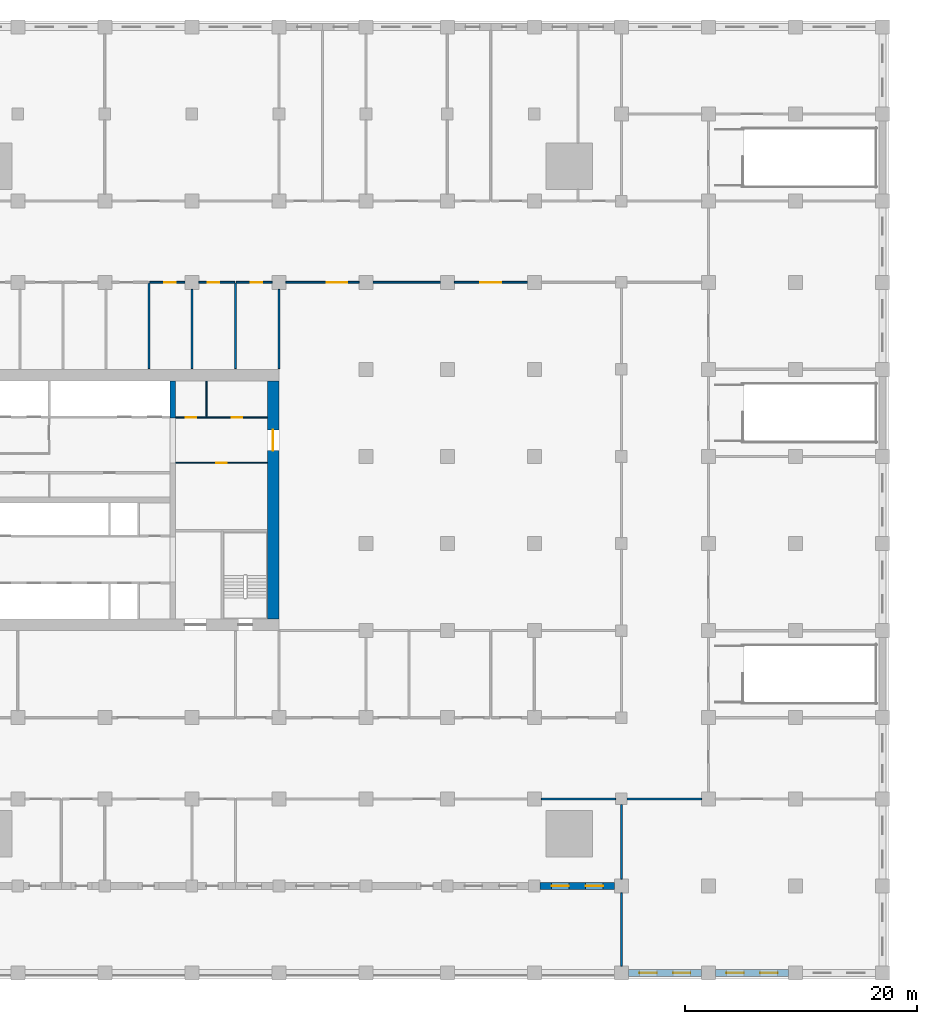
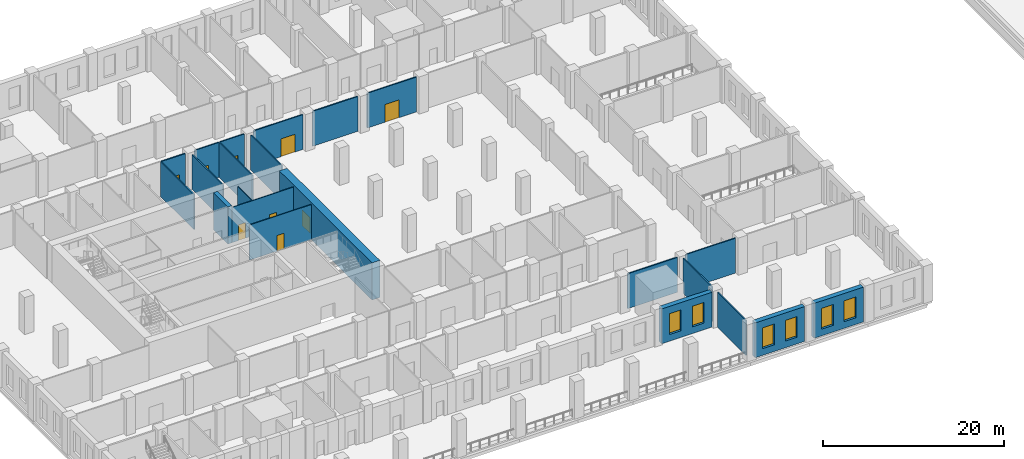
# One storey, part 7 of 22: 22 walls, 9 doors, 6 windows, 15 openings.
"""IFC4 building model written with IfcOpenShell, lengths in metres."""

from ifc_helpers import new_model, si_unit, direction, frame, frame_2d, origin, place, context, subcontext, project, spatial, rectangle, extrude, material, layer, layer_set, type_object, element, fill, save


model = new_model("IFC4")

# Units and contexts
model_context = context("Model", 3, precision=1e-05, world=origin(), true_north=direction((0.0, 1.0)))
body_context = subcontext(model_context, "Body", "Model", "MODEL_VIEW")
ifc_project = project(units=[si_unit("LENGTHUNIT", "METRE"), si_unit("AREAUNIT", "SQUARE_METRE"), si_unit("VOLUMEUNIT", "CUBIC_METRE"), si_unit("PLANEANGLEUNIT", "RADIAN"), si_unit("MASSUNIT", "GRAM", prefix="KILO")], contexts=[model_context])

# Site, building, storey
site_placement = place(None, origin())
site = spatial("IfcSite", under=ifc_project, at=site_placement, CompositionType="ELEMENT")
building_placement = place(site_placement, origin())
building = spatial("IfcBuilding", under=site, at=building_placement, Name="Tamorin Gate", CompositionType="ELEMENT")
storey_placement = place(building_placement, frame((0.0, 0.0, 29.0)))
storey = spatial("IfcBuildingStorey", under=building, at=storey_placement, Name="L05", CompositionType="ELEMENT", Elevation=29.0)

# Walls
ifc_material_1 = material(Name="Concrete masonry C20/25", Category="masonry")
ifc_layer_1 = layer(ifc_material_1, 0.14990234375)
ifc_layer_set_1 = layer_set([ifc_layer_1], Name="Partition 150")
wall_type_1 = type_object("IfcWallType", Name="Partition 150", PredefinedType="PARTITIONING", material=ifc_layer_set_1)
for number, where, z_axis, x_axis, name in (
    (1, (82.60009765625, 45.5, 0.0), (0.0, 0.0, 1.0), (1.0, 0.0, 0.0), "Partition 150 L05"),
    (2, (90.0, 45.5, 0.0), (0.0, 0.0, 1.0), (1.0, 0.0, 0.0), "Partition 150 L05"),
):
    element("IfcWall", number, at=place(storey_placement, frame(where, z_axis=z_axis, x_axis=x_axis)), inside=storey, type_object=wall_type_1, Name=name, PredefinedType="PARTITIONING", context=body_context, shape_type="SweptSolid", body=[
        extrude(rectangle(XDim=6.39990234375, YDim=0.14990234375, at=frame_2d((3.199951171875, 0.0))), origin(), (0.0, 0.0, 1.0), 4.699951171875),
    ])

# Wall, opening, door
wall_1_placement = place(storey_placement, frame((48.875, 90.0, 0.0), z_axis=(0.0, 0.0, 1.0), x_axis=(1.0, 0.0, 0.0)))
wall_1 = element("IfcWall", 3, at=wall_1_placement, inside=storey, type_object=wall_type_1, Name="Partition 150 L05", PredefinedType="PARTITIONING", context=body_context, shape_type="SweptSolid", body=[
    extrude(rectangle(XDim=3.02490234375, YDim=0.14990234375, at=frame_2d((1.512451171875, 0.0))), origin(), (0.0, 0.0, 1.0), 4.699951171875),
])
opening_1_placement = place(wall_1_placement, frame((1.25, 0.0, 0.0)))
opening_1 = element("IfcOpeningElement", 4, at=opening_1_placement, cuts=wall_1, Name="Opening DP2", PredefinedType="OPENING", context=body_context, shape_type="SweptSolid", body=[
    extrude(rectangle(XDim=1.0, YDim=2.10009765625, at=frame_2d((0.5, 1.050048828125))), frame((0.0, 0.0849609375, 0.0), z_axis=(0.0, -1.0, 0.0), x_axis=(1.0, 0.0, 0.0)), (0.0, 0.0, 1.0), 0.169921875),
])
ifc_material_2 = material(Name="Painted steel", Category="steel")
door_type_1 = type_object("IfcDoorType", Name="Door single 1000", OperationType="SINGLE_SWING_LEFT", PredefinedType="DOOR", material=ifc_material_2)
door_1_placement = place(opening_1_placement, origin())
door_1 = element("IfcDoor", 5, at=door_1_placement, inside=storey, type_object=door_type_1, Name="Door single 1000 L05", OperationType="SINGLE_SWING_LEFT", OverallHeight=2.10009765625, OverallWidth=1.0, PredefinedType="DOOR", context=body_context, shape_type="SweptSolid", body=[
    extrude(rectangle(XDim=1.0, YDim=2.10009765625, at=frame_2d((0.5, 1.050048828125))), frame((0.0, 0.02490234375, 0.0), z_axis=(0.0, -1.0, 0.0), x_axis=(1.0, 0.0, 0.0)), (0.0, 0.0, 1.0), 0.050048828125),
])
fill(opening_1, door_1)

wall_2_placement = place(storey_placement, frame((53.10009765625, 90.0, 0.0), z_axis=(0.0, 0.0, 1.0), x_axis=(1.0, 0.0, 0.0)))
wall_2 = element("IfcWall", 6, at=wall_2_placement, inside=storey, type_object=wall_type_1, Name="Partition 150 L05", PredefinedType="PARTITIONING", context=body_context, shape_type="SweptSolid", body=[
    extrude(rectangle(XDim=3.074951171875, YDim=0.14990234375, at=frame_2d((1.53759765625, 0.0))), origin(), (0.0, 0.0, 1.0), 4.699951171875),
])
opening_2_placement = place(wall_2_placement, frame((0.75, 0.0, 0.0)))
opening_2 = element("IfcOpeningElement", 7, at=opening_2_placement, cuts=wall_2, Name="Opening DP2", PredefinedType="OPENING", context=body_context, shape_type="SweptSolid", body=[
    extrude(rectangle(XDim=1.0, YDim=2.10009765625, at=frame_2d((0.5, 1.050048828125))), frame((0.0, 0.0849609375, 0.0), z_axis=(0.0, -1.0, 0.0), x_axis=(1.0, 0.0, 0.0)), (0.0, 0.0, 1.0), 0.169921875),
])
door_2_placement = place(opening_2_placement, origin())
door_2 = element("IfcDoor", 8, at=door_2_placement, inside=storey, type_object=door_type_1, Name="Door single 1000 L05", OperationType="SINGLE_SWING_LEFT", OverallHeight=2.10009765625, OverallWidth=1.0, PredefinedType="DOOR", context=body_context, shape_type="SweptSolid", body=[
    extrude(rectangle(XDim=1.0, YDim=2.10009765625, at=frame_2d((0.5, 1.050048828125))), frame((0.0, 0.02490234375, 0.0), z_axis=(0.0, -1.0, 0.0), x_axis=(1.0, 0.0, 0.0)), (0.0, 0.0, 1.0), 0.050048828125),
])
fill(opening_2, door_2)

wall_3_placement = place(storey_placement, frame((56.324951171875, 90.0, 0.0), z_axis=(0.0, 0.0, 1.0), x_axis=(1.0, 0.0, 0.0)))
wall_3 = element("IfcWall", 9, at=wall_3_placement, inside=storey, type_object=wall_type_1, Name="Partition 150 L05", PredefinedType="PARTITIONING", context=body_context, shape_type="SweptSolid", body=[
    extrude(rectangle(XDim=3.074951171875, YDim=0.14990234375, at=frame_2d((1.53759765625, 0.0))), origin(), (0.0, 0.0, 1.0), 4.699951171875),
])
opening_3_placement = place(wall_3_placement, frame((1.25, 0.0, 0.0)))
opening_3 = element("IfcOpeningElement", 10, at=opening_3_placement, cuts=wall_3, Name="Opening DP2", PredefinedType="OPENING", context=body_context, shape_type="SweptSolid", body=[
    extrude(rectangle(XDim=1.0, YDim=2.10009765625, at=frame_2d((0.5, 1.050048828125))), frame((0.0, 0.0849609375, 0.0), z_axis=(0.0, -1.0, 0.0), x_axis=(1.0, 0.0, 0.0)), (0.0, 0.0, 1.0), 0.169921875),
])
door_3_placement = place(opening_3_placement, origin())
door_3 = element("IfcDoor", 11, at=door_3_placement, inside=storey, type_object=door_type_1, Name="Door single 1000 L05", OperationType="SINGLE_SWING_LEFT", OverallHeight=2.10009765625, OverallWidth=1.0, PredefinedType="DOOR", context=body_context, shape_type="SweptSolid", body=[
    extrude(rectangle(XDim=1.0, YDim=2.10009765625, at=frame_2d((0.5, 1.050048828125))), frame((0.0, 0.02490234375, 0.0), z_axis=(0.0, -1.0, 0.0), x_axis=(1.0, 0.0, 0.0)), (0.0, 0.0, 1.0), 0.050048828125),
])
fill(opening_3, door_3)

wall_4_placement = place(storey_placement, frame((60.60009765625, 90.0, 0.0), z_axis=(0.0, 0.0, 1.0), x_axis=(1.0, 0.0, 0.0)))
wall_4 = element("IfcWall", 12, at=wall_4_placement, inside=storey, type_object=wall_type_1, Name="Partition 150 L05", PredefinedType="PARTITIONING", context=body_context, shape_type="SweptSolid", body=[
    extrude(rectangle(XDim=6.2998046875, YDim=0.14990234375, at=frame_2d((3.14990234375, 0.0))), origin(), (0.0, 0.0, 1.0), 4.699951171875),
])
opening_4_placement = place(wall_4_placement, frame((3.5, 0.0, 0.0)))
opening_4 = element("IfcOpeningElement", 13, at=opening_4_placement, cuts=wall_4, Name="Opening DP3", PredefinedType="OPENING", context=body_context, shape_type="SweptSolid", body=[
    extrude(rectangle(XDim=1.800048828125, YDim=2.39990234375, at=frame_2d((0.89990234375, 1.199951171875))), frame((0.0, 0.0849609375, 0.0), z_axis=(0.0, -1.0, 0.0), x_axis=(1.0, 0.0, 0.0)), (0.0, 0.0, 1.0), 0.169921875),
])
ifc_material_3 = material(Name="Steel and glass", Category="steel")
door_type_2 = type_object("IfcDoorType", Name="Door pair 1800", OperationType="DOUBLE_DOOR_SINGLE_SWING", PredefinedType="DOOR", material=ifc_material_3)
door_4_placement = place(opening_4_placement, origin())
door_4 = element("IfcDoor", 14, at=door_4_placement, inside=storey, type_object=door_type_2, Name="Door pair 1800 L05", OperationType="SINGLE_SWING_LEFT", OverallHeight=2.39990234375, OverallWidth=1.800048828125, PredefinedType="DOOR", context=body_context, shape_type="SweptSolid", body=[
    extrude(rectangle(XDim=1.800048828125, YDim=2.39990234375, at=frame_2d((0.89990234375, 1.199951171875))), frame((0.0, 0.02490234375, 0.0), z_axis=(0.0, -1.0, 0.0), x_axis=(1.0, 0.0, 0.0)), (0.0, 0.0, 1.0), 0.050048828125),
])
fill(opening_4, door_4)

# Wall
wall_5_placement = place(storey_placement, frame((68.10009765625, 90.0, 0.0), z_axis=(0.0, 0.0, 1.0), x_axis=(1.0, 0.0, 0.0)))
element("IfcWall", 15, at=wall_5_placement, inside=storey, type_object=wall_type_1, Name="Partition 150 L05", PredefinedType="PARTITIONING", context=body_context, shape_type="SweptSolid", body=[
    extrude(rectangle(XDim=5.7998046875, YDim=0.14990234375, at=frame_2d((2.89990234375, 0.0))), origin(), (0.0, 0.0, 1.0), 4.699951171875),
])

# Wall, opening, door
wall_6_placement = place(storey_placement, frame((75.10009765625, 90.0, 0.0), z_axis=(0.0, 0.0, 1.0), x_axis=(1.0, 0.0, 0.0)))
wall_6 = element("IfcWall", 16, at=wall_6_placement, inside=storey, type_object=wall_type_1, Name="Partition 150 L05", PredefinedType="PARTITIONING", context=body_context, shape_type="SweptSolid", body=[
    extrude(rectangle(XDim=6.2998046875, YDim=0.14990234375, at=frame_2d((3.14990234375, 0.0))), origin(), (0.0, 0.0, 1.0), 4.699951171875),
])
opening_5_placement = place(wall_6_placement, frame((2.25, 0.0, 0.0)))
opening_5 = element("IfcOpeningElement", 17, at=opening_5_placement, cuts=wall_6, Name="Opening DP3", PredefinedType="OPENING", context=body_context, shape_type="SweptSolid", body=[
    extrude(rectangle(XDim=1.800048828125, YDim=2.39990234375, at=frame_2d((0.89990234375, 1.199951171875))), frame((0.0, 0.0849609375, 0.0), z_axis=(0.0, -1.0, 0.0), x_axis=(1.0, 0.0, 0.0)), (0.0, 0.0, 1.0), 0.169921875),
])
door_5_placement = place(opening_5_placement, origin())
door_5 = element("IfcDoor", 18, at=door_5_placement, inside=storey, type_object=door_type_2, Name="Door pair 1800 L05", OperationType="SINGLE_SWING_LEFT", OverallHeight=2.39990234375, OverallWidth=1.800048828125, PredefinedType="DOOR", context=body_context, shape_type="SweptSolid", body=[
    extrude(rectangle(XDim=1.800048828125, YDim=2.39990234375, at=frame_2d((0.89990234375, 1.199951171875))), frame((0.0, 0.02490234375, 0.0), z_axis=(0.0, -1.0, 0.0), x_axis=(1.0, 0.0, 0.0)), (0.0, 0.0, 1.0), 0.050048828125),
])
fill(opening_5, door_5)

# Walls
wall_7_placement = place(storey_placement, frame((52.5, 82.574951171875, 0.0), z_axis=(0.0, 0.0, 1.0), x_axis=(0.0, 1.0, 0.0)))
element("IfcWall", 19, at=wall_7_placement, inside=storey, type_object=wall_type_1, Name="Partition 150 L05", PredefinedType="PARTITIONING", context=body_context, shape_type="SweptSolid", body=[
    extrude(rectangle(XDim=6.824951171875, YDim=0.14990234375, at=frame_2d((3.41259765625, 0.0))), origin(), (0.0, 0.0, 1.0), 4.699951171875),
])
wall_8_placement = place(storey_placement, frame((56.25, 82.574951171875, 0.0), z_axis=(0.0, 0.0, 1.0), x_axis=(0.0, 1.0, 0.0)))
element("IfcWall", 20, at=wall_8_placement, inside=storey, type_object=wall_type_1, Name="Partition 150 L05", PredefinedType="PARTITIONING", context=body_context, shape_type="SweptSolid", body=[
    extrude(rectangle(XDim=7.35009765625, YDim=0.14990234375, at=frame_2d((3.675048828125, 0.0))), origin(), (0.0, 0.0, 1.0), 4.699951171875),
])
wall_9_placement = place(storey_placement, frame((89.5, 31.10009765625, 0.0), z_axis=(0.0, 0.0, 1.0), x_axis=(0.0, 1.0, 0.0)))
element("IfcWall", 21, at=wall_9_placement, inside=storey, type_object=wall_type_1, Name="Partition 150 L05", PredefinedType="PARTITIONING", context=body_context, shape_type="SweptSolid", body=[
    extrude(rectangle(XDim=6.2998046875, YDim=0.14990234375, at=frame_2d((3.14990234375, 0.0))), origin(), (0.0, 0.0, 1.0), 4.699951171875),
])
wall_10_placement = place(storey_placement, frame((89.5, 38.60009765625, 0.0), z_axis=(0.0, 0.0, 1.0), x_axis=(0.0, 1.0, 0.0)))
element("IfcWall", 22, at=wall_10_placement, inside=storey, type_object=wall_type_1, Name="Partition 150 L05", PredefinedType="PARTITIONING", context=body_context, shape_type="SweptSolid", body=[
    extrude(rectangle(XDim=6.39990234375, YDim=0.14990234375, at=frame_2d((3.199951171875, 0.0))), origin(), (0.0, 0.0, 1.0), 4.699951171875),
])
wall_11_placement = place(storey_placement, frame((60.0, 82.574951171875, 0.0), z_axis=(0.0, 0.0, 1.0), x_axis=(0.0, 1.0, 0.0)))
element("IfcWall", 23, at=wall_11_placement, inside=storey, type_object=wall_type_1, Name="Partition 150 L05", PredefinedType="PARTITIONING", context=body_context, shape_type="SweptSolid", body=[
    extrude(rectangle(XDim=6.824951171875, YDim=0.14990234375, at=frame_2d((3.41259765625, 0.0))), origin(), (0.0, 0.0, 1.0), 4.699951171875),
])
wall_12_placement = place(storey_placement, frame((48.800048828125, 82.574951171875, 0.0), z_axis=(0.0, 0.0, 1.0), x_axis=(0.0, 1.0, 0.0)))
element("IfcWall", 24, at=wall_12_placement, inside=storey, type_object=wall_type_1, Name="Partition 150 L05", PredefinedType="PARTITIONING", context=body_context, shape_type="SweptSolid", body=[
    extrude(rectangle(XDim=7.35009765625, YDim=0.14990234375, at=frame_2d((3.675048828125, 0.0))), origin(), (0.0, 0.0, 1.0), 4.699951171875),
])

# Wall, openings, windows
ifc_material_4 = material(Name="Precast concrete C40/50", Category="concrete")
ifc_layer_2 = layer(ifc_material_4, 0.60009765625)
ifc_layer_set_2 = layer_set([ifc_layer_2], Name="Precast concrete C40/50")
wall_type_2 = type_object("IfcWallType", Name="Precast plinth wall 600", PredefinedType="PARTITIONING", material=ifc_layer_set_2)
wall_13_placement = place(storey_placement, frame((90.10009765625, 30.5, 0.0), z_axis=(0.0, 0.0, 1.0), x_axis=(1.0, 0.0, 0.0)))
wall_13 = element("IfcWall", 25, at=wall_13_placement, inside=storey, type_object=wall_type_2, Name="Precast plinth wall 600 L05", PredefinedType="PARTITIONING", context=body_context, shape_type="SweptSolid", body=[
    extrude(rectangle(XDim=6.2998046875, YDim=0.60009765625, at=frame_2d((3.14990234375, 0.0))), origin(), (0.0, 0.0, 1.0), 4.699951171875),
])
opening_6_placement = place(wall_13_placement, frame((0.950927734375, 0.0, 0.89990234375)))
opening_6 = element("IfcOpeningElement", 26, at=opening_6_placement, cuts=wall_13, Name="Opening PWN5", PredefinedType="OPENING", context=body_context, shape_type="SweptSolid", body=[
    extrude(rectangle(XDim=1.5, YDim=2.800048828125, at=frame_2d((0.75, 1.39990234375))), frame((0.0, 0.31005859375, 0.0), z_axis=(0.0, -1.0, 0.0), x_axis=(1.0, 0.0, 0.0)), (0.0, 0.0, 1.0), 0.6201171875),
])
opening_7_placement = place(wall_13_placement, frame((3.84912109375, 0.0, 0.89990234375)))
opening_7 = element("IfcOpeningElement", 27, at=opening_7_placement, cuts=wall_13, Name="Opening PWN5", PredefinedType="OPENING", context=body_context, shape_type="SweptSolid", body=[
    extrude(rectangle(XDim=1.5, YDim=2.800048828125, at=frame_2d((0.75, 1.39990234375))), frame((0.0, 0.31005859375, 0.0), z_axis=(0.0, -1.0, 0.0), x_axis=(1.0, 0.0, 0.0)), (0.0, 0.0, 1.0), 0.6201171875),
])
ifc_material_5 = material(Name="Aluminium and glass", Category="aluminium")
window_type = type_object("IfcWindowType", Name="Plinth window 1500x2800", PartitioningType="DOUBLE_PANEL_VERTICAL", PredefinedType="WINDOW", material=ifc_material_5)
window_1_placement = place(opening_6_placement, origin())
window_1 = element("IfcWindow", 28, at=window_1_placement, inside=storey, type_object=window_type, Name="Plinth window 1500x2800", OverallHeight=2.800048828125, OverallWidth=1.5, PartitioningType="SINGLE_PANEL", PredefinedType="WINDOW", context=body_context, shape_type="SweptSolid", body=[
    extrude(rectangle(XDim=1.5, YDim=2.800048828125, at=frame_2d((0.75, 1.39990234375))), frame((0.0, 0.030029296875, 0.0), z_axis=(0.0, -1.0, 0.0), x_axis=(1.0, 0.0, 0.0)), (0.0, 0.0, 1.0), 0.06005859375),
])
fill(opening_6, window_1)
window_2_placement = place(opening_7_placement, origin())
window_2 = element("IfcWindow", 29, at=window_2_placement, inside=storey, type_object=window_type, Name="Plinth window 1500x2800", OverallHeight=2.800048828125, OverallWidth=1.5, PartitioningType="SINGLE_PANEL", PredefinedType="WINDOW", context=body_context, shape_type="SweptSolid", body=[
    extrude(rectangle(XDim=1.5, YDim=2.800048828125, at=frame_2d((0.75, 1.39990234375))), frame((0.0, 0.030029296875, 0.0), z_axis=(0.0, -1.0, 0.0), x_axis=(1.0, 0.0, 0.0)), (0.0, 0.0, 1.0), 0.06005859375),
])
fill(opening_7, window_2)

wall_14_placement = place(storey_placement, frame((97.60009765625, 30.5, 0.0), z_axis=(0.0, 0.0, 1.0), x_axis=(1.0, 0.0, 0.0)))
wall_14 = element("IfcWall", 30, at=wall_14_placement, inside=storey, type_object=wall_type_2, Name="Precast plinth wall 600 L05", PredefinedType="PARTITIONING", context=body_context, shape_type="SweptSolid", body=[
    extrude(rectangle(XDim=6.2998046875, YDim=0.60009765625, at=frame_2d((3.14990234375, 0.0))), origin(), (0.0, 0.0, 1.0), 4.699951171875),
])
opening_8_placement = place(wall_14_placement, frame((0.950927734375, 0.0, 0.89990234375)))
opening_8 = element("IfcOpeningElement", 31, at=opening_8_placement, cuts=wall_14, Name="Opening PWN5", PredefinedType="OPENING", context=body_context, shape_type="SweptSolid", body=[
    extrude(rectangle(XDim=1.5, YDim=2.800048828125, at=frame_2d((0.75, 1.39990234375))), frame((0.0, 0.31005859375, 0.0), z_axis=(0.0, -1.0, 0.0), x_axis=(1.0, 0.0, 0.0)), (0.0, 0.0, 1.0), 0.6201171875),
])
opening_9_placement = place(wall_14_placement, frame((3.84912109375, 0.0, 0.89990234375)))
opening_9 = element("IfcOpeningElement", 32, at=opening_9_placement, cuts=wall_14, Name="Opening PWN5", PredefinedType="OPENING", context=body_context, shape_type="SweptSolid", body=[
    extrude(rectangle(XDim=1.5, YDim=2.800048828125, at=frame_2d((0.75, 1.39990234375))), frame((0.0, 0.31005859375, 0.0), z_axis=(0.0, -1.0, 0.0), x_axis=(1.0, 0.0, 0.0)), (0.0, 0.0, 1.0), 0.6201171875),
])
window_3_placement = place(opening_8_placement, origin())
window_3 = element("IfcWindow", 33, at=window_3_placement, inside=storey, type_object=window_type, Name="Plinth window 1500x2800", OverallHeight=2.800048828125, OverallWidth=1.5, PartitioningType="SINGLE_PANEL", PredefinedType="WINDOW", context=body_context, shape_type="SweptSolid", body=[
    extrude(rectangle(XDim=1.5, YDim=2.800048828125, at=frame_2d((0.75, 1.39990234375))), frame((0.0, 0.030029296875, 0.0), z_axis=(0.0, -1.0, 0.0), x_axis=(1.0, 0.0, 0.0)), (0.0, 0.0, 1.0), 0.06005859375),
])
fill(opening_8, window_3)
window_4_placement = place(opening_9_placement, origin())
window_4 = element("IfcWindow", 34, at=window_4_placement, inside=storey, type_object=window_type, Name="Plinth window 1500x2800", OverallHeight=2.800048828125, OverallWidth=1.5, PartitioningType="SINGLE_PANEL", PredefinedType="WINDOW", context=body_context, shape_type="SweptSolid", body=[
    extrude(rectangle(XDim=1.5, YDim=2.800048828125, at=frame_2d((0.75, 1.39990234375))), frame((0.0, 0.030029296875, 0.0), z_axis=(0.0, -1.0, 0.0), x_axis=(1.0, 0.0, 0.0)), (0.0, 0.0, 1.0), 0.06005859375),
])
fill(opening_9, window_4)

wall_15_placement = place(storey_placement, frame((82.5, 38.0, 0.0), z_axis=(0.0, 0.0, 1.0), x_axis=(1.0, 0.0, 0.0)))
wall_15 = element("IfcWall", 35, at=wall_15_placement, inside=storey, type_object=wall_type_2, Name="Precast plinth wall 600 L05", PredefinedType="PARTITIONING", context=body_context, shape_type="SweptSolid", body=[
    extrude(rectangle(XDim=6.39990234375, YDim=0.60009765625, at=frame_2d((3.199951171875, 0.0))), origin(), (0.0, 0.0, 1.0), 4.699951171875),
])
opening_10_placement = place(wall_15_placement, frame((0.97802734375, 0.0, 0.89990234375)))
opening_10 = element("IfcOpeningElement", 36, at=opening_10_placement, cuts=wall_15, Name="Opening PWN5", PredefinedType="OPENING", context=body_context, shape_type="SweptSolid", body=[
    extrude(rectangle(XDim=1.5, YDim=2.800048828125, at=frame_2d((0.75, 1.39990234375))), frame((0.0, 0.31005859375, 0.0), z_axis=(0.0, -1.0, 0.0), x_axis=(1.0, 0.0, 0.0)), (0.0, 0.0, 1.0), 0.6201171875),
])
opening_11_placement = place(wall_15_placement, frame((3.922119140625, 0.0, 0.89990234375)))
opening_11 = element("IfcOpeningElement", 37, at=opening_11_placement, cuts=wall_15, Name="Opening PWN5", PredefinedType="OPENING", context=body_context, shape_type="SweptSolid", body=[
    extrude(rectangle(XDim=1.5, YDim=2.800048828125, at=frame_2d((0.75, 1.39990234375))), frame((0.0, 0.31005859375, 0.0), z_axis=(0.0, -1.0, 0.0), x_axis=(1.0, 0.0, 0.0)), (0.0, 0.0, 1.0), 0.6201171875),
])
window_5_placement = place(opening_10_placement, origin())
window_5 = element("IfcWindow", 38, at=window_5_placement, inside=storey, type_object=window_type, Name="Plinth window 1500x2800", OverallHeight=2.800048828125, OverallWidth=1.5, PartitioningType="SINGLE_PANEL", PredefinedType="WINDOW", context=body_context, shape_type="SweptSolid", body=[
    extrude(rectangle(XDim=1.5, YDim=2.800048828125, at=frame_2d((0.75, 1.39990234375))), frame((0.0, 0.030029296875, 0.0), z_axis=(0.0, -1.0, 0.0), x_axis=(1.0, 0.0, 0.0)), (0.0, 0.0, 1.0), 0.06005859375),
])
fill(opening_10, window_5)
window_6_placement = place(opening_11_placement, origin())
window_6 = element("IfcWindow", 39, at=window_6_placement, inside=storey, type_object=window_type, Name="Plinth window 1500x2800", OverallHeight=2.800048828125, OverallWidth=1.5, PartitioningType="SINGLE_PANEL", PredefinedType="WINDOW", context=body_context, shape_type="SweptSolid", body=[
    extrude(rectangle(XDim=1.5, YDim=2.800048828125, at=frame_2d((0.75, 1.39990234375))), frame((0.0, 0.030029296875, 0.0), z_axis=(0.0, -1.0, 0.0), x_axis=(1.0, 0.0, 0.0)), (0.0, 0.0, 1.0), 0.06005859375),
])
fill(opening_11, window_6)

# Wall
ifc_material_6 = material(Name="Concrete C80/95", Category="concrete")
ifc_layer_3 = layer(ifc_material_6, 0.5)
ifc_layer_set_3 = layer_set([ifc_layer_3], Name="RC core internal wall 500 C80/95")
wall_type_3 = type_object("IfcWallType", Name="RC core internal wall 500 C80/95", PredefinedType="SHEAR", material=ifc_layer_set_3)
wall_16_placement = place(storey_placement, frame((50.85009765625, 78.300048828125, 0.0), z_axis=(0.0, 0.0, 1.0), x_axis=(0.0, 1.0, 0.0)))
element("IfcWall", 40, at=wall_16_placement, inside=storey, type_object=wall_type_3, Name="Core cross wall L05", PredefinedType="SHEAR", context=body_context, shape_type="SweptSolid", body=[
    extrude(rectangle(XDim=3.199951171875, YDim=0.5, at=frame_2d((1.60009765625, 0.0))), origin(), (0.0, 0.0, 1.0), 5.0),
])

# Wall, opening, door
ifc_layer_4 = layer(ifc_material_6, 1.0)
ifc_layer_set_4 = layer_set([ifc_layer_4], Name="RC core wall 1000 C80/95")
wall_type_4 = type_object("IfcWallType", Name="RC core wall 1000 C80/95", PredefinedType="SHEAR", material=ifc_layer_set_4)
wall_17_placement = place(storey_placement, frame((59.5, 61.0, 0.0), z_axis=(0.0, 0.0, 1.0), x_axis=(0.0, 1.0, 0.0)))
wall_17 = element("IfcWall", 41, at=wall_17_placement, inside=storey, type_object=wall_type_4, Name="Core wall L05", PredefinedType="SHEAR", context=body_context, shape_type="SweptSolid", body=[
    extrude(rectangle(XDim=20.5, YDim=1.0, at=frame_2d((10.25, 0.0))), origin(), (0.0, 0.0, 1.0), 5.0),
])
opening_12_placement = place(wall_17_placement, frame((14.5, 0.0, 0.0)))
opening_12 = element("IfcOpeningElement", 42, at=opening_12_placement, cuts=wall_17, Name="Opening DE1", PredefinedType="OPENING", context=body_context, shape_type="SweptSolid", body=[
    extrude(rectangle(XDim=1.800048828125, YDim=2.10009765625, at=frame_2d((0.89990234375, 1.050048828125))), frame((0.0, 0.510009765625, 0.0), z_axis=(0.0, -1.0, 0.0), x_axis=(1.0, 0.0, 0.0)), (0.0, 0.0, 1.0), 1.02001953125),
])
ifc_material_7 = material(Name="Steel fire door", Category="steel")
door_type_3 = type_object("IfcDoorType", Name="Lobby exit double door 1800 x 2100 EI 60", OperationType="DOUBLE_DOOR_SINGLE_SWING", PredefinedType="DOOR", material=ifc_material_7)
door_6_placement = place(opening_12_placement, origin())
door_6 = element("IfcDoor", 43, at=door_6_placement, inside=storey, type_object=door_type_3, Name="Lift lobby B exit door", OperationType="DOUBLE_DOOR_SINGLE_SWING", OverallHeight=2.10009765625, OverallWidth=1.800048828125, PredefinedType="DOOR", context=body_context, shape_type="SweptSolid", body=[
    extrude(rectangle(XDim=1.800048828125, YDim=2.10009765625, at=frame_2d((0.89990234375, 1.050048828125))), frame((0.0, 0.02490234375, 0.0), z_axis=(0.0, -1.0, 0.0), x_axis=(1.0, 0.0, 0.0)), (0.0, 0.0, 1.0), 0.050048828125),
])
fill(opening_12, door_6)

ifc_material_8 = material(Name="Gypsum board partition")
ifc_layer_5 = layer(ifc_material_8, 0.10009765625)
ifc_layer_set_5 = layer_set([ifc_layer_5], Name="Service room partition 100 EI 60")
wall_type_5 = type_object("IfcWallType", Name="Service room partition 100 EI 60", PredefinedType="PARTITIONING", material=ifc_layer_set_5)
wall_18_placement = place(storey_placement, frame((51.10009765625, 74.449951171875, 0.0), z_axis=(0.0, 0.0, 1.0), x_axis=(1.0, 0.0, 0.0)))
wall_18 = element("IfcWall", 44, at=wall_18_placement, inside=storey, type_object=wall_type_5, Name="Service room wall", PredefinedType="PARTITIONING", context=body_context, shape_type="SweptSolid", body=[
    extrude(rectangle(XDim=7.89990234375, YDim=0.10009765625, at=frame_2d((3.949951171875, 0.0))), origin(), (0.0, 0.0, 1.0), 4.75),
])
opening_13_placement = place(wall_18_placement, frame((3.5, 0.0, 0.0)))
opening_13 = element("IfcOpeningElement", 45, at=opening_13_placement, cuts=wall_18, Name="Opening DR1", PredefinedType="OPENING", context=body_context, shape_type="SweptSolid", body=[
    extrude(rectangle(XDim=0.89990234375, YDim=2.10009765625, at=frame_2d((0.449951171875, 1.050048828125))), frame((0.0, 0.06005859375, 0.0), z_axis=(0.0, -1.0, 0.0), x_axis=(1.0, 0.0, 0.0)), (0.0, 0.0, 1.0), 0.1201171875),
])
door_type_4 = type_object("IfcDoorType", Name="Riser access door 900 x 2100 EI 120", OperationType="SINGLE_SWING_LEFT", PredefinedType="DOOR", material=ifc_material_7)
door_7_placement = place(opening_13_placement, origin())
door_7 = element("IfcDoor", 46, at=door_7_placement, inside=storey, type_object=door_type_4, Name="Duct riser door", OperationType="SINGLE_SWING_LEFT", OverallHeight=2.10009765625, OverallWidth=0.89990234375, PredefinedType="DOOR", context=body_context, shape_type="SweptSolid", body=[
    extrude(rectangle(XDim=0.89990234375, YDim=2.10009765625, at=frame_2d((0.449951171875, 1.050048828125))), frame((0.0, 0.02490234375, 0.0), z_axis=(0.0, -1.0, 0.0), x_axis=(1.0, 0.0, 0.0)), (0.0, 0.0, 1.0), 0.050048828125),
])
fill(opening_13, door_7)

# Wall, openings, doors
wall_19_placement = place(storey_placement, frame((51.10009765625, 78.35009765625, 0.0), z_axis=(0.0, 0.0, 1.0), x_axis=(1.0, 0.0, 0.0)))
wall_19 = element("IfcWall", 47, at=wall_19_placement, inside=storey, type_object=wall_type_5, Name="Service room wall", PredefinedType="PARTITIONING", context=body_context, shape_type="SweptSolid", body=[
    extrude(rectangle(XDim=7.89990234375, YDim=0.10009765625, at=frame_2d((3.949951171875, 0.0))), origin(), (0.0, 0.0, 1.0), 4.75),
])
opening_14_placement = place(wall_19_placement, frame((0.875, 0.0, 0.0)))
opening_14 = element("IfcOpeningElement", 48, at=opening_14_placement, cuts=wall_19, Name="Opening DK1", PredefinedType="OPENING", context=body_context, shape_type="SweptSolid", body=[
    extrude(rectangle(XDim=0.89990234375, YDim=2.10009765625, at=frame_2d((0.449951171875, 1.050048828125))), frame((0.0, 0.06005859375, 0.0), z_axis=(0.0, -1.0, 0.0), x_axis=(1.0, 0.0, 0.0)), (0.0, 0.0, 1.0), 0.1201171875),
])
opening_15_placement = place(wall_19_placement, frame((4.824951171875, 0.0, 0.0)))
opening_15 = element("IfcOpeningElement", 49, at=opening_15_placement, cuts=wall_19, Name="Opening DK1", PredefinedType="OPENING", context=body_context, shape_type="SweptSolid", body=[
    extrude(rectangle(XDim=0.89990234375, YDim=2.10009765625, at=frame_2d((0.449951171875, 1.050048828125))), frame((0.0, 0.06005859375, 0.0), z_axis=(0.0, -1.0, 0.0), x_axis=(1.0, 0.0, 0.0)), (0.0, 0.0, 1.0), 0.1201171875),
])
ifc_material_9 = material(Name="Timber fire door", Category="wood")
door_type_5 = type_object("IfcDoorType", Name="Service room door 900 x 2100 EI 60", OperationType="SINGLE_SWING_LEFT", PredefinedType="DOOR", material=ifc_material_9)
door_8_placement = place(opening_14_placement, origin())
door_8 = element("IfcDoor", 50, at=door_8_placement, inside=storey, type_object=door_type_5, Name="Door Telecom room", OperationType="SINGLE_SWING_LEFT", OverallHeight=2.10009765625, OverallWidth=0.89990234375, PredefinedType="DOOR", context=body_context, shape_type="SweptSolid", body=[
    extrude(rectangle(XDim=0.89990234375, YDim=2.10009765625, at=frame_2d((0.449951171875, 1.050048828125))), frame((0.0, 0.02490234375, 0.0), z_axis=(0.0, -1.0, 0.0), x_axis=(1.0, 0.0, 0.0)), (0.0, 0.0, 1.0), 0.050048828125),
])
fill(opening_14, door_8)
door_9_placement = place(opening_15_placement, origin())
door_9 = element("IfcDoor", 51, at=door_9_placement, inside=storey, type_object=door_type_5, Name="Door Waste store", OperationType="SINGLE_SWING_RIGHT", OverallHeight=2.10009765625, OverallWidth=0.89990234375, PredefinedType="DOOR", context=body_context, shape_type="SweptSolid", body=[
    extrude(rectangle(XDim=0.89990234375, YDim=2.10009765625, at=frame_2d((0.449951171875, 1.050048828125))), frame((0.0, 0.02490234375, 0.0), z_axis=(0.0, -1.0, 0.0), x_axis=(1.0, 0.0, 0.0)), (0.0, 0.0, 1.0), 0.050048828125),
])
fill(opening_15, door_9)

# Wall
wall_20_placement = place(storey_placement, frame((53.75, 78.39990234375, 0.0), z_axis=(0.0, 0.0, 1.0), x_axis=(0.0, 1.0, 0.0)))
element("IfcWall", 52, at=wall_20_placement, inside=storey, type_object=wall_type_5, Name="Service room partition", PredefinedType="PARTITIONING", context=body_context, shape_type="SweptSolid", body=[
    extrude(rectangle(XDim=3.10009765625, YDim=0.10009765625, at=frame_2d((1.550048828125, 0.0))), origin(), (0.0, 0.0, 1.0), 4.75),
])

save(model, "model.ifc")
